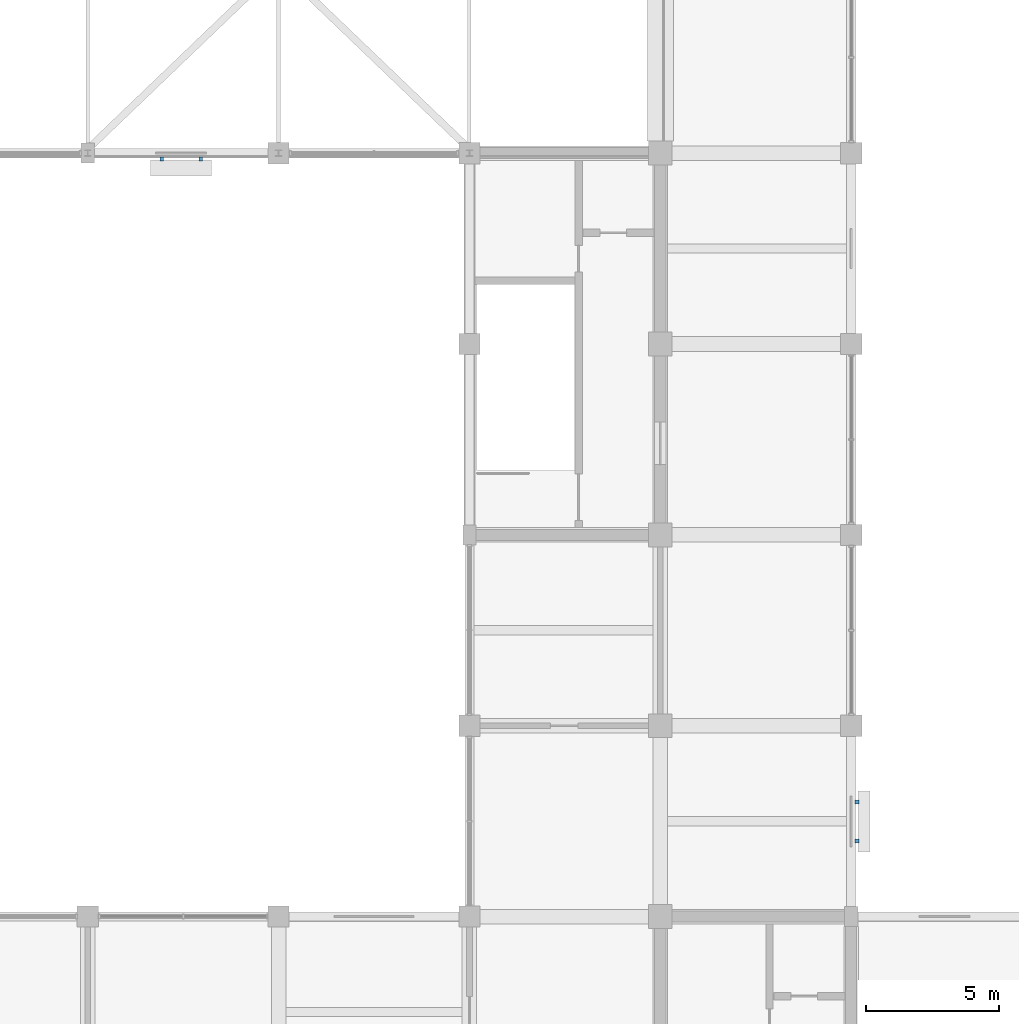
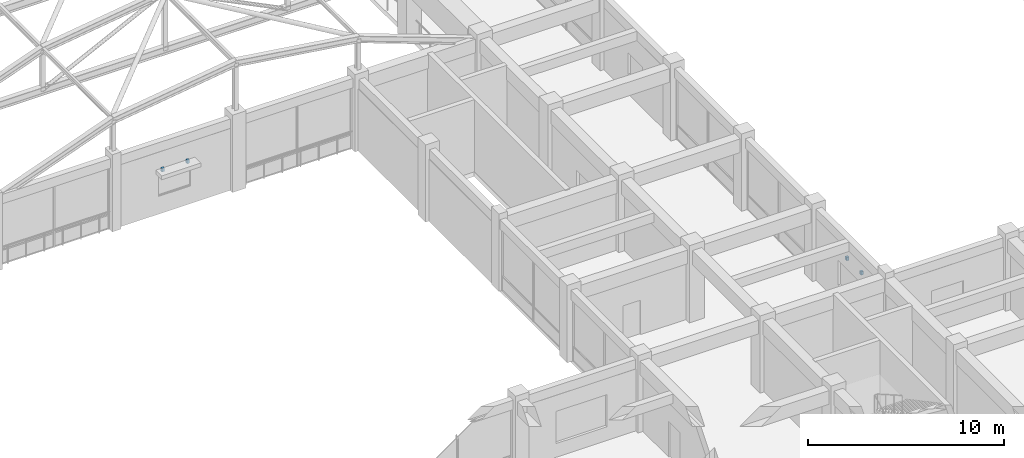
# One storey, part 68 of 75: 4 discrete accessories.
"""IFC4 building model written with IfcOpenShell, lengths in metres."""

from ifc_helpers import new_model, si_unit, direction, frame, origin, origin_2d, place, context, subcontext, project, spatial, rectangle, extrude, material, type_object, element, save


model = new_model("IFC4")

# Units and contexts
model_context = context("Model", 3, precision=1e-05, world=origin(), true_north=direction((0.0, 1.0)))
body_context = subcontext(model_context, "Body", "Model", "MODEL_VIEW")
ifc_project = project(units=[si_unit("LENGTHUNIT", "METRE"), si_unit("AREAUNIT", "SQUARE_METRE"), si_unit("VOLUMEUNIT", "CUBIC_METRE"), si_unit("PLANEANGLEUNIT", "RADIAN"), si_unit("MASSUNIT", "GRAM", prefix="KILO")], contexts=[model_context])

# Site, building, storey
site_placement = place(None, origin())
site = spatial("IfcSite", under=ifc_project, at=site_placement, CompositionType="ELEMENT")
building_placement = place(site_placement, origin())
building = spatial("IfcBuilding", under=site, at=building_placement, Name="Cendaluz Park School", CompositionType="ELEMENT")
storey_placement = place(building_placement, frame((0.0, 0.0, 4.800048828125)))
storey = spatial("IfcBuildingStorey", under=building, at=storey_placement, Name="L01", CompositionType="ELEMENT", Elevation=4.800048828125)

# Discrete accessories
ifc_material = material(Name="Steel S355", Category="steel")
discrete_accessory_type = type_object("IfcDiscreteAccessoryType", Name="BK-01", PredefinedType="BRACKET", material=ifc_material)
for number, where, z_axis, x_axis, name in (
    (1, (17.18896484375, 57.3798828125, 2.6298828125), (0.0, 0.0, 1.0), (1.0, 0.0, 0.0), "BK-L01-073"),
    (2, (18.660888671875, 57.3798828125, 2.6298828125), (0.0, 0.0, 1.0), (1.0, 0.0, 0.0), "BK-L01-074"),
    (3, (43.419921875, 31.651611328125, 2.6298828125), (0.0, 0.0, 1.0), (0.0, 1.0, 0.0), "BK-L01-077"),
    (4, (43.419921875, 33.12353515625, 2.6298828125), (0.0, 0.0, 1.0), (0.0, 1.0, 0.0), "BK-L01-078"),
):
    element("IfcDiscreteAccessory", number, at=place(storey_placement, frame(where, z_axis=z_axis, x_axis=x_axis)), inside=storey, type_object=discrete_accessory_type, Name=name, PredefinedType="BRACKET", context=body_context, shape_type="SweptSolid", body=[
        extrude(rectangle(XDim=0.139892578125, YDim=0.139892578125, at=origin_2d()), origin(), (0.0, 0.0, 1.0), 0.219970703125),
    ])

save(model, "model.ifc")
